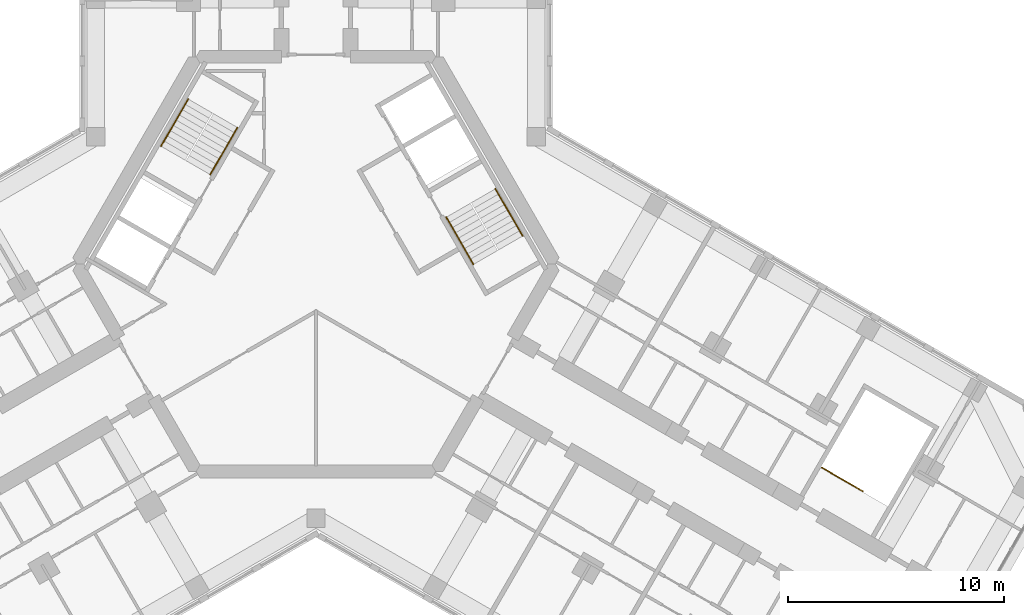
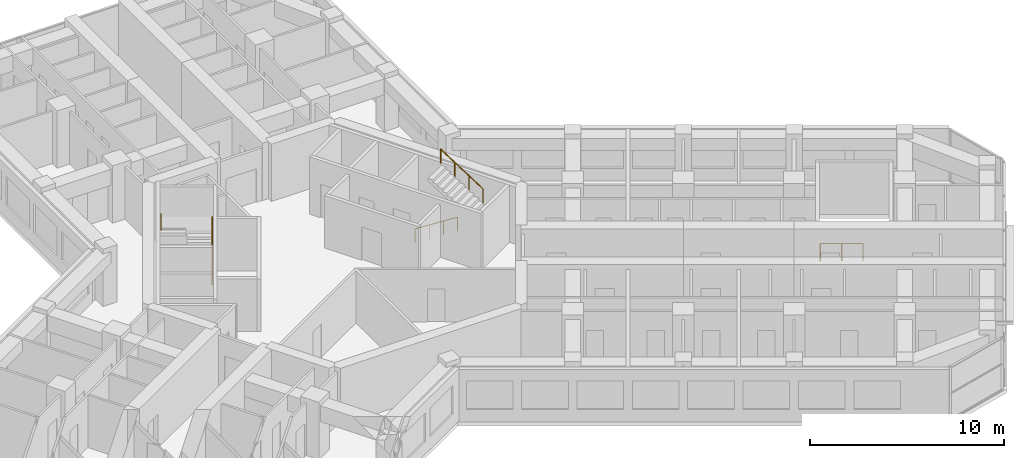
# One storey, part 16 of 16: 5 railings.
"""IFC4 building model written with IfcOpenShell, lengths in metres."""

from ifc_helpers import new_model, si_unit, direction, frame, origin, origin_2d, place, context, subcontext, project, spatial, circle, extrude, material, type_object, element, save


model = new_model("IFC4")

# Units and contexts
model_context = context("Model", 3, precision=1e-05, world=origin(), true_north=direction((0.0, 1.0)))
body_context = subcontext(model_context, "Body", "Model", "MODEL_VIEW")
ifc_project = project(units=[si_unit("LENGTHUNIT", "METRE"), si_unit("AREAUNIT", "SQUARE_METRE"), si_unit("VOLUMEUNIT", "CUBIC_METRE"), si_unit("PLANEANGLEUNIT", "RADIAN"), si_unit("MASSUNIT", "GRAM", prefix="KILO")], contexts=[model_context])

# Site, building, storey
site_placement = place(None, origin())
site = spatial("IfcSite", under=ifc_project, at=site_placement, CompositionType="ELEMENT")
building_placement = place(site_placement, origin())
building = spatial("IfcBuilding", under=site, at=building_placement, Name="Kosmar Iwan School Tower", CompositionType="ELEMENT")
storey_placement = place(building_placement, frame((0.0, 0.0, 256.800048828125)))
storey = spatial("IfcBuildingStorey", under=building, at=storey_placement, Name="L65", CompositionType="ELEMENT", Elevation=256.800048828125)

# Railings
ifc_material_1 = material(Name="Black steel", Category="steel")
railing_type_1 = type_object("IfcRailingType", Name="Stair handrail 900", PredefinedType="HANDRAIL", material=ifc_material_1)
railing_1_placement = place(storey_placement, frame((-4.89453125, 4.142333984375, 0.179931640625)))
element("IfcRailing", 1, at=railing_1_placement, inside=storey, type_object=railing_type_1, Name="Handrail ST2 flight 1", PredefinedType="HANDRAIL", context=body_context, shape_type="SweptSolid", body=[
    extrude(circle(Radius=0.02392578125, at=origin_2d()), frame((0.0, 0.0, 0.8759765625), z_axis=(0.420584145978, 0.728463801763, 0.540785970299), x_axis=(-0.866022637375, 0.500004791531, 0.0)), (0.0, 0.0, 1.0), 2.995849609375),
    extrude(circle(Radius=0.02099609375, at=origin_2d()), origin(), (0.0, 0.0, 1.0), 0.851806640625),
    extrude(circle(Radius=0.02099609375, at=origin_2d()), frame((0.419921875, 0.7275390625, 0.5400390625)), (0.0, 0.0, 1.0), 0.851806640625),
    extrude(circle(Radius=0.02099609375, at=origin_2d()), frame((0.840087890625, 1.454833984375, 1.080078125)), (0.0, 0.0, 1.0), 0.851806640625),
    extrude(circle(Radius=0.02099609375, at=origin_2d()), frame((1.260009765625, 2.182373046875, 1.6201171875)), (0.0, 0.0, 1.0), 0.851806640625),
])
railing_2_placement = place(storey_placement, frame((-5.912353515625, 7.6396484375, 1.97998046875)))
element("IfcRailing", 2, at=railing_2_placement, inside=storey, type_object=railing_type_1, Name="Handrail ST2 flight 2", PredefinedType="HANDRAIL", context=body_context, shape_type="SweptSolid", body=[
    extrude(circle(Radius=0.02392578125, at=origin_2d()), frame((0.0, 0.0, 0.8759765625), z_axis=(-0.42060268101, -0.72849590497, 0.54072830624), x_axis=(0.866022637375, -0.500004791531, 0.0)), (0.0, 0.0, 1.0), 2.99560546875),
    extrude(circle(Radius=0.02099609375, at=origin_2d()), origin(), (0.0, 0.0, 1.0), 0.851806640625),
    extrude(circle(Radius=0.02099609375, at=origin_2d()), frame((-0.419921875, -0.7275390625, 0.5400390625)), (0.0, 0.0, 1.0), 0.851806640625),
    extrude(circle(Radius=0.02099609375, at=origin_2d()), frame((-0.840087890625, -1.454833984375, 1.079833984375)), (0.0, 0.0, 1.0), 0.851806640625),
    extrude(circle(Radius=0.02099609375, at=origin_2d()), frame((-1.260009765625, -2.182373046875, 1.619873046875)), (0.0, 0.0, 1.0), 0.851806640625),
])
railing_3_placement = place(storey_placement, frame((6.03466796875, 2.167724609375, 0.179931640625)))
element("IfcRailing", 3, at=railing_3_placement, inside=storey, type_object=railing_type_1, Name="Handrail ST1 flight 1", PredefinedType="HANDRAIL", context=body_context, shape_type="SweptSolid", body=[
    extrude(circle(Radius=0.02392578125, at=origin_2d()), frame((0.0, 0.0, 0.8759765625), z_axis=(0.420584145978, -0.728463801763, 0.540785970299), x_axis=(0.866022637375, 0.500004791531, 0.0)), (0.0, 0.0, 1.0), 2.995849609375),
    extrude(circle(Radius=0.02099609375, at=origin_2d()), origin(), (0.0, 0.0, 1.0), 0.851806640625),
    extrude(circle(Radius=0.02099609375, at=origin_2d()), frame((0.419921875, -0.7275390625, 0.5400390625)), (0.0, 0.0, 1.0), 0.851806640625),
    extrude(circle(Radius=0.02099609375, at=origin_2d()), frame((0.840087890625, -1.454833984375, 1.080078125)), (0.0, 0.0, 1.0), 0.851806640625),
    extrude(circle(Radius=0.02099609375, at=origin_2d()), frame((1.260009765625, -2.182373046875, 1.6201171875)), (0.0, 0.0, 1.0), 0.851806640625),
])
railing_4_placement = place(storey_placement, frame((9.572265625, 1.30029296875, 1.97998046875)))
element("IfcRailing", 4, at=railing_4_placement, inside=storey, type_object=railing_type_1, Name="Handrail ST1 flight 2", PredefinedType="HANDRAIL", context=body_context, shape_type="SweptSolid", body=[
    extrude(circle(Radius=0.02392578125, at=origin_2d()), frame((0.0, 0.0, 0.8759765625), z_axis=(-0.42060268101, 0.72849590497, 0.54072830624), x_axis=(-0.866022637375, -0.500004791531, 0.0)), (0.0, 0.0, 1.0), 2.99560546875),
    extrude(circle(Radius=0.02099609375, at=origin_2d()), origin(), (0.0, 0.0, 1.0), 0.851806640625),
    extrude(circle(Radius=0.02099609375, at=origin_2d()), frame((-0.419921875, 0.7275390625, 0.5400390625)), (0.0, 0.0, 1.0), 0.851806640625),
    extrude(circle(Radius=0.02099609375, at=origin_2d()), frame((-0.840087890625, 1.454833984375, 1.079833984375)), (0.0, 0.0, 1.0), 0.851806640625),
    extrude(circle(Radius=0.02099609375, at=origin_2d()), frame((-1.260009765625, 2.182373046875, 1.619873046875)), (0.0, 0.0, 1.0), 0.851806640625),
])
ifc_material_2 = material(Name="Black steel", Category="steel")
railing_type_2 = type_object("IfcRailingType", Name="Stair well guard 1100", PredefinedType="GUARDRAIL", material=ifc_material_2)
railing_5_placement = place(storey_placement, frame((23.425537109375, -9.425537109375, 0.0)))
element("IfcRailing", 5, at=railing_5_placement, inside=storey, type_object=railing_type_2, Name="Stair WS3 well guard", PredefinedType="GUARDRAIL", context=body_context, shape_type="SweptSolid", body=[
    extrude(circle(Radius=0.02392578125, at=origin_2d()), frame((0.0, 0.0, 1.076171875), z_axis=(0.866008176907, -0.50002983664, 0.0), x_axis=(0.50002983664, 0.866008176907, 0.0)), (0.0, 0.0, 1.0), 2.199951171875),
    extrude(circle(Radius=0.02099609375, at=origin_2d()), origin(), (0.0, 0.0, 1.0), 1.052001953125),
    extrude(circle(Radius=0.02099609375, at=origin_2d()), frame((0.95263671875, -0.550048828125, 0.0)), (0.0, 0.0, 1.0), 1.052001953125),
    extrude(circle(Radius=0.02099609375, at=origin_2d()), frame((1.9052734375, -1.10009765625, 0.0)), (0.0, 0.0, 1.0), 1.052001953125),
])

save(model, "model.ifc")
